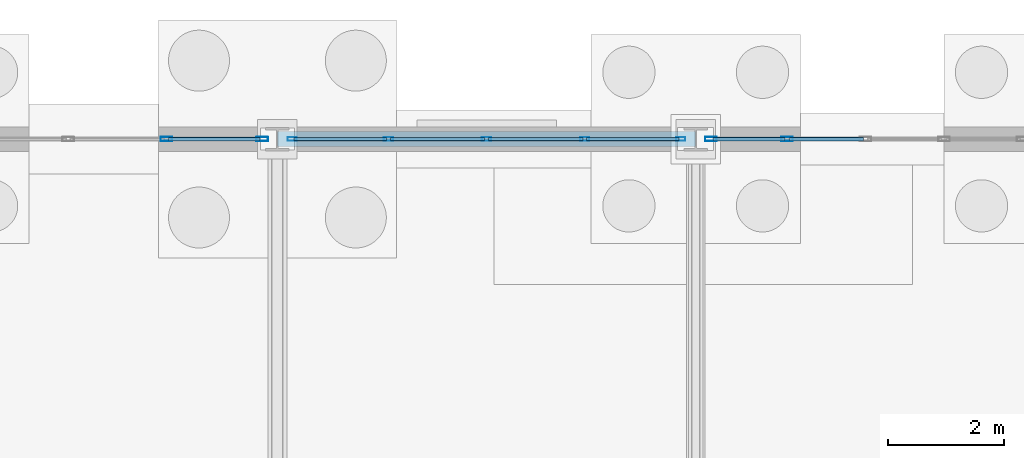
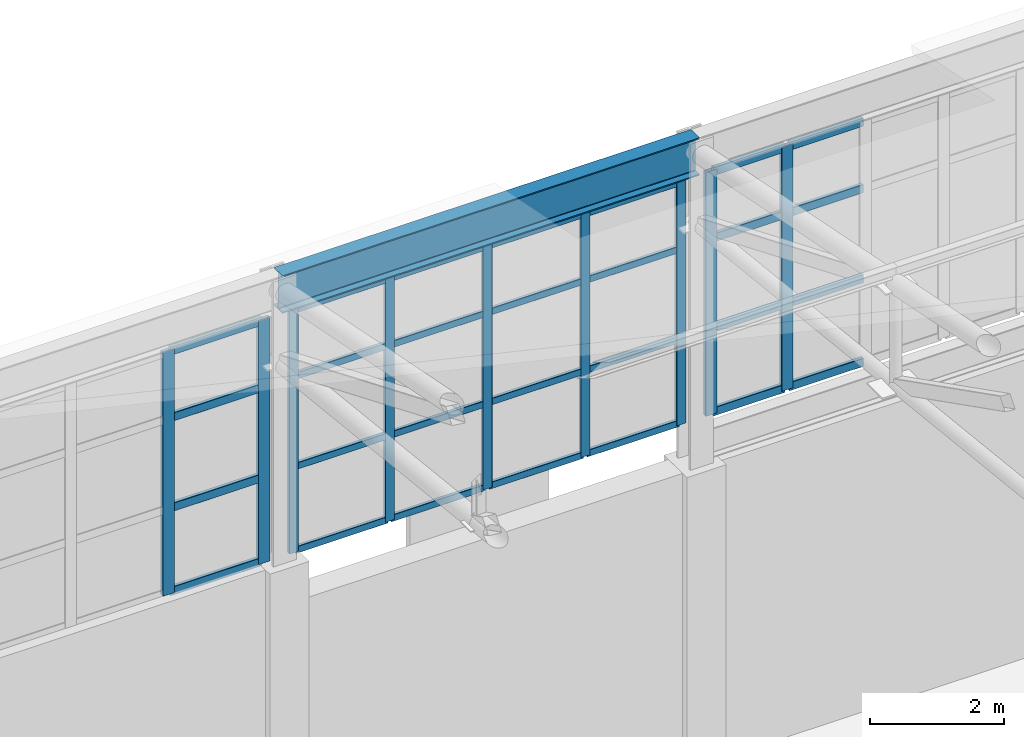
# One storey, part 207 of 293: 37 members, 1 beam, 3 elements without a shape of their own.
"""IFC4 building model written with IfcOpenShell, lengths in metres."""

from ifc_helpers import new_model, si_unit, direction, frame, origin, origin_2d, place, context, subcontext, project, spatial, hollow_rectangle, i_section, extrude, material, layer, layer_set, material_profile, profile_set, type_object, element, aggregate, save


model = new_model("IFC4")

# Units and contexts
model_context = context("Model", 3, precision=1e-05, world=origin(), true_north=direction((0.0, 1.0)))
body_context = subcontext(model_context, "Body", "Model", "MODEL_VIEW")
ifc_project = project(units=[si_unit("LENGTHUNIT", "METRE"), si_unit("AREAUNIT", "SQUARE_METRE"), si_unit("VOLUMEUNIT", "CUBIC_METRE"), si_unit("PLANEANGLEUNIT", "RADIAN"), si_unit("MASSUNIT", "GRAM", prefix="KILO")], contexts=[model_context])

# Site, building, storey
site_placement = place(None, origin())
site = spatial("IfcSite", under=ifc_project, at=site_placement, CompositionType="ELEMENT")
building_placement = place(site_placement, origin())
building = spatial("IfcBuilding", under=site, at=building_placement, Name="Kemerveld Promenade Tramway Depot", CompositionType="ELEMENT")
storey_placement = place(building_placement, origin())
storey = spatial("IfcBuildingStorey", under=building, at=storey_placement, Name="L00", CompositionType="ELEMENT", Elevation=0.0)

# Beam
ifc_material_1 = material(Name="Steel S355", Category="steel")
ifc_material_profile_1 = material_profile(ifc_material_1, i_section(OverallWidth=0.25439453125, OverallDepth=0.6875, WebThickness=0.01318359375, FlangeThickness=0.02099609375, FilletRadius=0.01513671875, at=origin_2d()), Name="686x254x152 UB")
ifc_profile_set_1 = profile_set([ifc_material_profile_1], Name="Steel S355")
beam_type = type_object("IfcBeamType", Name="BM-G03", PredefinedType="BEAM", material=ifc_profile_set_1)
beam_placement = place(storey_placement, frame((64.800048828125, 144.0, 11.056396484375), z_axis=(1.0, 0.0, 0.0), x_axis=(0.0, 1.0, 0.0)))
element("IfcBeam", 1, at=beam_placement, inside=storey, type_object=beam_type, Name="BM-SHED-EAVE-U-10", PredefinedType="BEAM", context=body_context, shape_type="SweptSolid", body=[
    extrude(i_section(OverallWidth=0.25439453125, OverallDepth=0.6875, WebThickness=0.01318359375, FlangeThickness=0.02099609375, FilletRadius=0.01513671875, at=origin_2d()), origin(), (0.0, 0.0, 1.0), 7.199951171875),
])

# Curtain wall, members
ifc_material_2 = material(Name="Bronze anodised aluminium and solar glass", Category="aluminium")
ifc_layer_1 = layer(ifc_material_2, 0.159912109375)
ifc_layer_set_1 = layer_set([ifc_layer_1], Name="CW-SYS-05")
curtain_wall_type_1 = type_object("IfcCurtainWallType", Name="CW-SYS-05", PredefinedType="USERDEFINED", material=ifc_layer_set_1)
curtain_wall_1_placement = place(storey_placement, origin())
curtain_wall_1 = element("IfcCurtainWall", 2, at=curtain_wall_1_placement, inside=storey, type_object=curtain_wall_type_1, Name="CW-V1-N-05", ObjectType="GLAZED_CURTAIN_WALL", PredefinedType="USERDEFINED")
ifc_material_3 = material(Name="Bronze anodised aluminium", Category="aluminium")
ifc_material_profile_2 = material_profile(ifc_material_3, hollow_rectangle(XDim=0.06494140625, YDim=0.159912109375, WallThickness=0.00390625, InnerFilletRadius=0.001953125, OuterFilletRadius=0.00390625, at=origin_2d()), Name="CW-MUL-160x65")
ifc_profile_set_2 = profile_set([ifc_material_profile_2], Name="Bronze anodised aluminium")
member_type_1 = type_object("IfcMemberType", Name="CW-MUL-A", PredefinedType="MULLION", material=ifc_profile_set_2)
member_1_placement = place(storey_placement, frame((65.0556640625, 144.0, 6.199951171875), z_axis=(0.0, 0.0, 1.0), x_axis=(0.0, 1.0, 0.0)))
member_1 = element("IfcMember", 3, at=member_1_placement, type_object=member_type_1, Name="CW05 mullion 1", PredefinedType="MULLION", context=body_context, shape_type="SweptSolid", body=[
    extrude(hollow_rectangle(XDim=0.06494140625, YDim=0.159912109375, WallThickness=0.00390625, InnerFilletRadius=0.001953125, OuterFilletRadius=0.00390625, at=origin_2d()), origin(), (0.0, 0.0, 1.0), 4.449951171875),
])
member_2_placement = place(storey_placement, frame((66.711669921875, 144.0, 6.199951171875), z_axis=(0.0, 0.0, 1.0), x_axis=(0.0, 1.0, 0.0)))
member_2 = element("IfcMember", 4, at=member_2_placement, type_object=member_type_1, Name="CW05 mullion 2", PredefinedType="MULLION", context=body_context, shape_type="SweptSolid", body=[
    extrude(hollow_rectangle(XDim=0.06494140625, YDim=0.159912109375, WallThickness=0.00390625, InnerFilletRadius=0.001953125, OuterFilletRadius=0.00390625, at=origin_2d()), origin(), (0.0, 0.0, 1.0), 4.449951171875),
])
member_3_placement = place(storey_placement, frame((68.39990234375, 144.0, 6.199951171875), z_axis=(0.0, 0.0, 1.0), x_axis=(0.0, 1.0, 0.0)))
member_3 = element("IfcMember", 5, at=member_3_placement, type_object=member_type_1, Name="CW05 mullion 3", PredefinedType="MULLION", context=body_context, shape_type="SweptSolid", body=[
    extrude(hollow_rectangle(XDim=0.06494140625, YDim=0.159912109375, WallThickness=0.00390625, InnerFilletRadius=0.001953125, OuterFilletRadius=0.00390625, at=origin_2d()), origin(), (0.0, 0.0, 1.0), 4.449951171875),
])
member_4_placement = place(storey_placement, frame((70.08837890625, 144.0, 6.199951171875), z_axis=(0.0, 0.0, 1.0), x_axis=(0.0, 1.0, 0.0)))
member_4 = element("IfcMember", 6, at=member_4_placement, type_object=member_type_1, Name="CW05 mullion 4", PredefinedType="MULLION", context=body_context, shape_type="SweptSolid", body=[
    extrude(hollow_rectangle(XDim=0.06494140625, YDim=0.159912109375, WallThickness=0.00390625, InnerFilletRadius=0.001953125, OuterFilletRadius=0.00390625, at=origin_2d()), origin(), (0.0, 0.0, 1.0), 4.449951171875),
])
member_5_placement = place(storey_placement, frame((71.744384765625, 144.0, 6.199951171875), z_axis=(0.0, 0.0, 1.0), x_axis=(0.0, 1.0, 0.0)))
member_5 = element("IfcMember", 7, at=member_5_placement, type_object=member_type_1, Name="CW05 mullion 5", PredefinedType="MULLION", context=body_context, shape_type="SweptSolid", body=[
    extrude(hollow_rectangle(XDim=0.06494140625, YDim=0.159912109375, WallThickness=0.00390625, InnerFilletRadius=0.001953125, OuterFilletRadius=0.00390625, at=origin_2d()), origin(), (0.0, 0.0, 1.0), 4.449951171875),
])

ifc_layer_2 = layer(ifc_material_2, 0.199951171875)
ifc_layer_set_2 = layer_set([ifc_layer_2], Name="CW-SYS-04")
curtain_wall_type_2 = type_object("IfcCurtainWallType", Name="CW-SYS-04", PredefinedType="USERDEFINED", material=ifc_layer_set_2)
curtain_wall_2_placement = place(storey_placement, origin())
curtain_wall_2 = element("IfcCurtainWall", 8, at=curtain_wall_2_placement, inside=storey, type_object=curtain_wall_type_2, Name="CW-V1-N-04", ObjectType="GLAZED_CURTAIN_WALL", PredefinedType="USERDEFINED")
ifc_material_profile_3 = material_profile(ifc_material_3, hollow_rectangle(XDim=0.074951171875, YDim=0.199951171875, WallThickness=0.0048828125, InnerFilletRadius=0.001953125, OuterFilletRadius=0.0048828125, at=origin_2d()), Name="CW-MUL-200x75")
ifc_profile_set_3 = profile_set([ifc_material_profile_3], Name="Bronze anodised aluminium")
member_type_2 = type_object("IfcMemberType", Name="CW-MUL-B", PredefinedType="MULLION", material=ifc_profile_set_3)
member_6_placement = place(storey_placement, frame((62.888427734375, 144.0, 6.199951171875), z_axis=(0.0, 0.0, 1.0), x_axis=(0.0, 1.0, 0.0)))
member_6 = element("IfcMember", 9, at=member_6_placement, type_object=member_type_2, Name="CW04 mullion 4", PredefinedType="MULLION", context=body_context, shape_type="SweptSolid", body=[
    extrude(hollow_rectangle(XDim=0.074951171875, YDim=0.199951171875, WallThickness=0.0048828125, InnerFilletRadius=0.001953125, OuterFilletRadius=0.0048828125, at=origin_2d()), origin(), (0.0, 0.0, 1.0), 4.449951171875),
])
member_7_placement = place(storey_placement, frame((64.539306640625, 144.0, 6.199951171875), z_axis=(0.0, 0.0, 1.0), x_axis=(0.0, 1.0, 0.0)))
member_7 = element("IfcMember", 10, at=member_7_placement, type_object=member_type_2, Name="CW04 mullion 5", PredefinedType="MULLION", context=body_context, shape_type="SweptSolid", body=[
    extrude(hollow_rectangle(XDim=0.074951171875, YDim=0.199951171875, WallThickness=0.0048828125, InnerFilletRadius=0.001953125, OuterFilletRadius=0.0048828125, at=origin_2d()), origin(), (0.0, 0.0, 1.0), 4.449951171875),
])

ifc_layer_3 = layer(ifc_material_2, 0.199951171875)
ifc_layer_set_3 = layer_set([ifc_layer_3], Name="CW-SYS-06")
curtain_wall_type_3 = type_object("IfcCurtainWallType", Name="CW-SYS-06", PredefinedType="USERDEFINED", material=ifc_layer_set_3)
curtain_wall_3_placement = place(storey_placement, origin())
curtain_wall_3 = element("IfcCurtainWall", 11, at=curtain_wall_3_placement, inside=storey, type_object=curtain_wall_type_3, Name="CW-V1-N-06", ObjectType="GLAZED_CURTAIN_WALL", PredefinedType="USERDEFINED")
member_8_placement = place(storey_placement, frame((72.2607421875, 144.0, 6.199951171875), z_axis=(0.0, 0.0, 1.0), x_axis=(0.0, 1.0, 0.0)))
member_8 = element("IfcMember", 12, at=member_8_placement, type_object=member_type_2, Name="CW06 mullion 1", PredefinedType="MULLION", context=body_context, shape_type="SweptSolid", body=[
    extrude(hollow_rectangle(XDim=0.074951171875, YDim=0.199951171875, WallThickness=0.0048828125, InnerFilletRadius=0.001953125, OuterFilletRadius=0.0048828125, at=origin_2d()), origin(), (0.0, 0.0, 1.0), 4.449951171875),
])
member_9_placement = place(storey_placement, frame((73.573974609375, 144.0, 6.199951171875), z_axis=(0.0, 0.0, 1.0), x_axis=(0.0, 1.0, 0.0)))
member_9 = element("IfcMember", 13, at=member_9_placement, type_object=member_type_2, Name="CW06 mullion 2", PredefinedType="MULLION", context=body_context, shape_type="SweptSolid", body=[
    extrude(hollow_rectangle(XDim=0.074951171875, YDim=0.199951171875, WallThickness=0.0048828125, InnerFilletRadius=0.001953125, OuterFilletRadius=0.0048828125, at=origin_2d()), origin(), (0.0, 0.0, 1.0), 4.449951171875),
])

# Member
ifc_material_profile_4 = material_profile(ifc_material_3, hollow_rectangle(XDim=0.06005859375, YDim=0.1201171875, WallThickness=0.00390625, InnerFilletRadius=0.001953125, OuterFilletRadius=0.00390625, at=origin_2d()), Name="CW-TRN-120x60")
ifc_profile_set_4 = profile_set([ifc_material_profile_4], Name="Bronze anodised aluminium")
member_type_3 = type_object("IfcMemberType", Name="CW-TRN-A", PredefinedType="USERDEFINED", material=ifc_profile_set_4)
member_10_placement = place(storey_placement, frame((65.088134765625, 144.0, 6.22998046875), z_axis=(1.0, 0.0, 0.0), x_axis=(0.0, 1.0, 0.0)))
member_10 = element("IfcMember", 14, at=member_10_placement, type_object=member_type_3, Name="CW05 transom 1.1", ObjectType="TRANSOM", PredefinedType="USERDEFINED", context=body_context, shape_type="SweptSolid", body=[
    extrude(hollow_rectangle(XDim=0.06005859375, YDim=0.1201171875, WallThickness=0.00390625, InnerFilletRadius=0.001953125, OuterFilletRadius=0.00390625, at=origin_2d()), origin(), (0.0, 0.0, 1.0), 1.591064453125),
])

member_11_placement = place(storey_placement, frame((65.088134765625, 144.0, 7.758056640625), z_axis=(1.0, 0.0, 0.0), x_axis=(0.0, 1.0, 0.0)))
member_11 = element("IfcMember", 15, at=member_11_placement, type_object=member_type_3, Name="CW05 transom 1.2", ObjectType="TRANSOM", PredefinedType="USERDEFINED", context=body_context, shape_type="SweptSolid", body=[
    extrude(hollow_rectangle(XDim=0.06005859375, YDim=0.1201171875, WallThickness=0.00390625, InnerFilletRadius=0.001953125, OuterFilletRadius=0.00390625, at=origin_2d()), origin(), (0.0, 0.0, 1.0), 1.591064453125),
])

member_12_placement = place(storey_placement, frame((65.088134765625, 144.0, 9.404052734375), z_axis=(1.0, 0.0, 0.0), x_axis=(0.0, 1.0, 0.0)))
member_12 = element("IfcMember", 16, at=member_12_placement, type_object=member_type_3, Name="CW05 transom 1.3", ObjectType="TRANSOM", PredefinedType="USERDEFINED", context=body_context, shape_type="SweptSolid", body=[
    extrude(hollow_rectangle(XDim=0.06005859375, YDim=0.1201171875, WallThickness=0.00390625, InnerFilletRadius=0.001953125, OuterFilletRadius=0.00390625, at=origin_2d()), origin(), (0.0, 0.0, 1.0), 1.591064453125),
])

member_13_placement = place(storey_placement, frame((65.088134765625, 144.0, 10.6201171875), z_axis=(1.0, 0.0, 0.0), x_axis=(0.0, 1.0, 0.0)))
member_13 = element("IfcMember", 17, at=member_13_placement, type_object=member_type_3, Name="CW05 transom 1.4", ObjectType="TRANSOM", PredefinedType="USERDEFINED", context=body_context, shape_type="SweptSolid", body=[
    extrude(hollow_rectangle(XDim=0.06005859375, YDim=0.1201171875, WallThickness=0.00390625, InnerFilletRadius=0.001953125, OuterFilletRadius=0.00390625, at=origin_2d()), origin(), (0.0, 0.0, 1.0), 1.591064453125),
])

member_14_placement = place(storey_placement, frame((66.744140625, 144.0, 6.22998046875), z_axis=(1.0, 0.0, 0.0), x_axis=(0.0, 1.0, 0.0)))
member_14 = element("IfcMember", 18, at=member_14_placement, type_object=member_type_3, Name="CW05 transom 2.1", ObjectType="TRANSOM", PredefinedType="USERDEFINED", context=body_context, shape_type="SweptSolid", body=[
    extrude(hollow_rectangle(XDim=0.06005859375, YDim=0.1201171875, WallThickness=0.00390625, InnerFilletRadius=0.001953125, OuterFilletRadius=0.00390625, at=origin_2d()), origin(), (0.0, 0.0, 1.0), 1.623291015625),
])

member_15_placement = place(storey_placement, frame((66.744140625, 144.0, 7.758056640625), z_axis=(1.0, 0.0, 0.0), x_axis=(0.0, 1.0, 0.0)))
member_15 = element("IfcMember", 19, at=member_15_placement, type_object=member_type_3, Name="CW05 transom 2.2", ObjectType="TRANSOM", PredefinedType="USERDEFINED", context=body_context, shape_type="SweptSolid", body=[
    extrude(hollow_rectangle(XDim=0.06005859375, YDim=0.1201171875, WallThickness=0.00390625, InnerFilletRadius=0.001953125, OuterFilletRadius=0.00390625, at=origin_2d()), origin(), (0.0, 0.0, 1.0), 1.623291015625),
])

member_16_placement = place(storey_placement, frame((66.744140625, 144.0, 9.404052734375), z_axis=(1.0, 0.0, 0.0), x_axis=(0.0, 1.0, 0.0)))
member_16 = element("IfcMember", 20, at=member_16_placement, type_object=member_type_3, Name="CW05 transom 2.3", ObjectType="TRANSOM", PredefinedType="USERDEFINED", context=body_context, shape_type="SweptSolid", body=[
    extrude(hollow_rectangle(XDim=0.06005859375, YDim=0.1201171875, WallThickness=0.00390625, InnerFilletRadius=0.001953125, OuterFilletRadius=0.00390625, at=origin_2d()), origin(), (0.0, 0.0, 1.0), 1.623291015625),
])

member_17_placement = place(storey_placement, frame((66.744140625, 144.0, 10.6201171875), z_axis=(1.0, 0.0, 0.0), x_axis=(0.0, 1.0, 0.0)))
member_17 = element("IfcMember", 21, at=member_17_placement, type_object=member_type_3, Name="CW05 transom 2.4", ObjectType="TRANSOM", PredefinedType="USERDEFINED", context=body_context, shape_type="SweptSolid", body=[
    extrude(hollow_rectangle(XDim=0.06005859375, YDim=0.1201171875, WallThickness=0.00390625, InnerFilletRadius=0.001953125, OuterFilletRadius=0.00390625, at=origin_2d()), origin(), (0.0, 0.0, 1.0), 1.623291015625),
])

member_18_placement = place(storey_placement, frame((68.4326171875, 144.0, 6.22998046875), z_axis=(1.0, 0.0, 0.0), x_axis=(0.0, 1.0, 0.0)))
member_18 = element("IfcMember", 22, at=member_18_placement, type_object=member_type_3, Name="CW05 transom 3.1", ObjectType="TRANSOM", PredefinedType="USERDEFINED", context=body_context, shape_type="SweptSolid", body=[
    extrude(hollow_rectangle(XDim=0.06005859375, YDim=0.1201171875, WallThickness=0.00390625, InnerFilletRadius=0.001953125, OuterFilletRadius=0.00390625, at=origin_2d()), origin(), (0.0, 0.0, 1.0), 1.623291015625),
])

member_19_placement = place(storey_placement, frame((68.4326171875, 144.0, 7.758056640625), z_axis=(1.0, 0.0, 0.0), x_axis=(0.0, 1.0, 0.0)))
member_19 = element("IfcMember", 23, at=member_19_placement, type_object=member_type_3, Name="CW05 transom 3.2", ObjectType="TRANSOM", PredefinedType="USERDEFINED", context=body_context, shape_type="SweptSolid", body=[
    extrude(hollow_rectangle(XDim=0.06005859375, YDim=0.1201171875, WallThickness=0.00390625, InnerFilletRadius=0.001953125, OuterFilletRadius=0.00390625, at=origin_2d()), origin(), (0.0, 0.0, 1.0), 1.623291015625),
])

member_20_placement = place(storey_placement, frame((68.4326171875, 144.0, 9.404052734375), z_axis=(1.0, 0.0, 0.0), x_axis=(0.0, 1.0, 0.0)))
member_20 = element("IfcMember", 24, at=member_20_placement, type_object=member_type_3, Name="CW05 transom 3.3", ObjectType="TRANSOM", PredefinedType="USERDEFINED", context=body_context, shape_type="SweptSolid", body=[
    extrude(hollow_rectangle(XDim=0.06005859375, YDim=0.1201171875, WallThickness=0.00390625, InnerFilletRadius=0.001953125, OuterFilletRadius=0.00390625, at=origin_2d()), origin(), (0.0, 0.0, 1.0), 1.623291015625),
])

member_21_placement = place(storey_placement, frame((68.4326171875, 144.0, 10.6201171875), z_axis=(1.0, 0.0, 0.0), x_axis=(0.0, 1.0, 0.0)))
member_21 = element("IfcMember", 25, at=member_21_placement, type_object=member_type_3, Name="CW05 transom 3.4", ObjectType="TRANSOM", PredefinedType="USERDEFINED", context=body_context, shape_type="SweptSolid", body=[
    extrude(hollow_rectangle(XDim=0.06005859375, YDim=0.1201171875, WallThickness=0.00390625, InnerFilletRadius=0.001953125, OuterFilletRadius=0.00390625, at=origin_2d()), origin(), (0.0, 0.0, 1.0), 1.623291015625),
])

member_22_placement = place(storey_placement, frame((70.120849609375, 144.0, 6.22998046875), z_axis=(1.0, 0.0, 0.0), x_axis=(0.0, 1.0, 0.0)))
member_22 = element("IfcMember", 26, at=member_22_placement, type_object=member_type_3, Name="CW05 transom 4.1", ObjectType="TRANSOM", PredefinedType="USERDEFINED", context=body_context, shape_type="SweptSolid", body=[
    extrude(hollow_rectangle(XDim=0.06005859375, YDim=0.1201171875, WallThickness=0.00390625, InnerFilletRadius=0.001953125, OuterFilletRadius=0.00390625, at=origin_2d()), origin(), (0.0, 0.0, 1.0), 1.591064453125),
])

member_23_placement = place(storey_placement, frame((70.120849609375, 144.0, 7.758056640625), z_axis=(1.0, 0.0, 0.0), x_axis=(0.0, 1.0, 0.0)))
member_23 = element("IfcMember", 27, at=member_23_placement, type_object=member_type_3, Name="CW05 transom 4.2", ObjectType="TRANSOM", PredefinedType="USERDEFINED", context=body_context, shape_type="SweptSolid", body=[
    extrude(hollow_rectangle(XDim=0.06005859375, YDim=0.1201171875, WallThickness=0.00390625, InnerFilletRadius=0.001953125, OuterFilletRadius=0.00390625, at=origin_2d()), origin(), (0.0, 0.0, 1.0), 1.591064453125),
])

member_24_placement = place(storey_placement, frame((70.120849609375, 144.0, 9.404052734375), z_axis=(1.0, 0.0, 0.0), x_axis=(0.0, 1.0, 0.0)))
member_24 = element("IfcMember", 28, at=member_24_placement, type_object=member_type_3, Name="CW05 transom 4.3", ObjectType="TRANSOM", PredefinedType="USERDEFINED", context=body_context, shape_type="SweptSolid", body=[
    extrude(hollow_rectangle(XDim=0.06005859375, YDim=0.1201171875, WallThickness=0.00390625, InnerFilletRadius=0.001953125, OuterFilletRadius=0.00390625, at=origin_2d()), origin(), (0.0, 0.0, 1.0), 1.591064453125),
])

member_25_placement = place(storey_placement, frame((70.120849609375, 144.0, 10.6201171875), z_axis=(1.0, 0.0, 0.0), x_axis=(0.0, 1.0, 0.0)))
member_25 = element("IfcMember", 29, at=member_25_placement, type_object=member_type_3, Name="CW05 transom 4.4", ObjectType="TRANSOM", PredefinedType="USERDEFINED", context=body_context, shape_type="SweptSolid", body=[
    extrude(hollow_rectangle(XDim=0.06005859375, YDim=0.1201171875, WallThickness=0.00390625, InnerFilletRadius=0.001953125, OuterFilletRadius=0.00390625, at=origin_2d()), origin(), (0.0, 0.0, 1.0), 1.591064453125),
])

aggregate(curtain_wall_1, [member_1, member_2, member_3, member_4, member_5, member_10, member_11, member_12, member_13, member_14, member_15, member_16, member_17, member_18, member_19, member_20, member_21, member_22, member_23, member_24, member_25])

ifc_material_profile_5 = material_profile(ifc_material_3, hollow_rectangle(XDim=0.06494140625, YDim=0.14990234375, WallThickness=0.00439453125, InnerFilletRadius=0.001953125, OuterFilletRadius=0.00439453125, at=origin_2d()), Name="CW-TRN-150x65")
ifc_profile_set_5 = profile_set([ifc_material_profile_5], Name="Bronze anodised aluminium")
member_type_4 = type_object("IfcMemberType", Name="CW-TRN-B", PredefinedType="USERDEFINED", material=ifc_profile_set_5)
member_26_placement = place(storey_placement, frame((62.92578125, 144.0, 6.232421875), z_axis=(1.0, 0.0, 0.0), x_axis=(0.0, 1.0, 0.0)))
member_26 = element("IfcMember", 30, at=member_26_placement, type_object=member_type_4, Name="CW04 transom 4.1", ObjectType="TRANSOM", PredefinedType="USERDEFINED", context=body_context, shape_type="SweptSolid", body=[
    extrude(hollow_rectangle(XDim=0.06494140625, YDim=0.14990234375, WallThickness=0.00439453125, InnerFilletRadius=0.001953125, OuterFilletRadius=0.00439453125, at=origin_2d()), origin(), (0.0, 0.0, 1.0), 1.575927734375),
])

member_27_placement = place(storey_placement, frame((62.92578125, 144.0, 7.758056640625), z_axis=(1.0, 0.0, 0.0), x_axis=(0.0, 1.0, 0.0)))
member_27 = element("IfcMember", 31, at=member_27_placement, type_object=member_type_4, Name="CW04 transom 4.2", ObjectType="TRANSOM", PredefinedType="USERDEFINED", context=body_context, shape_type="SweptSolid", body=[
    extrude(hollow_rectangle(XDim=0.06494140625, YDim=0.14990234375, WallThickness=0.00439453125, InnerFilletRadius=0.001953125, OuterFilletRadius=0.00439453125, at=origin_2d()), origin(), (0.0, 0.0, 1.0), 1.575927734375),
])

member_28_placement = place(storey_placement, frame((62.92578125, 144.0, 9.404052734375), z_axis=(1.0, 0.0, 0.0), x_axis=(0.0, 1.0, 0.0)))
member_28 = element("IfcMember", 32, at=member_28_placement, type_object=member_type_4, Name="CW04 transom 4.3", ObjectType="TRANSOM", PredefinedType="USERDEFINED", context=body_context, shape_type="SweptSolid", body=[
    extrude(hollow_rectangle(XDim=0.06494140625, YDim=0.14990234375, WallThickness=0.00439453125, InnerFilletRadius=0.001953125, OuterFilletRadius=0.00439453125, at=origin_2d()), origin(), (0.0, 0.0, 1.0), 1.575927734375),
])

member_29_placement = place(storey_placement, frame((62.92578125, 144.0, 10.617431640625), z_axis=(1.0, 0.0, 0.0), x_axis=(0.0, 1.0, 0.0)))
member_29 = element("IfcMember", 33, at=member_29_placement, type_object=member_type_4, Name="CW04 transom 4.4", ObjectType="TRANSOM", PredefinedType="USERDEFINED", context=body_context, shape_type="SweptSolid", body=[
    extrude(hollow_rectangle(XDim=0.06494140625, YDim=0.14990234375, WallThickness=0.00439453125, InnerFilletRadius=0.001953125, OuterFilletRadius=0.00439453125, at=origin_2d()), origin(), (0.0, 0.0, 1.0), 1.575927734375),
])

aggregate(curtain_wall_2, [member_6, member_7, member_26, member_27, member_28, member_29])

member_30_placement = place(storey_placement, frame((72.298095703125, 144.0, 6.232421875), z_axis=(1.0, 0.0, 0.0), x_axis=(0.0, 1.0, 0.0)))
member_30 = element("IfcMember", 34, at=member_30_placement, type_object=member_type_4, Name="CW06 transom 1.1", ObjectType="TRANSOM", PredefinedType="USERDEFINED", context=body_context, shape_type="SweptSolid", body=[
    extrude(hollow_rectangle(XDim=0.06494140625, YDim=0.14990234375, WallThickness=0.00439453125, InnerFilletRadius=0.001953125, OuterFilletRadius=0.00439453125, at=origin_2d()), origin(), (0.0, 0.0, 1.0), 1.23828125),
])

member_31_placement = place(storey_placement, frame((72.298095703125, 144.0, 7.758056640625), z_axis=(1.0, 0.0, 0.0), x_axis=(0.0, 1.0, 0.0)))
member_31 = element("IfcMember", 35, at=member_31_placement, type_object=member_type_4, Name="CW06 transom 1.2", ObjectType="TRANSOM", PredefinedType="USERDEFINED", context=body_context, shape_type="SweptSolid", body=[
    extrude(hollow_rectangle(XDim=0.06494140625, YDim=0.14990234375, WallThickness=0.00439453125, InnerFilletRadius=0.001953125, OuterFilletRadius=0.00439453125, at=origin_2d()), origin(), (0.0, 0.0, 1.0), 1.23828125),
])

member_32_placement = place(storey_placement, frame((72.298095703125, 144.0, 9.404052734375), z_axis=(1.0, 0.0, 0.0), x_axis=(0.0, 1.0, 0.0)))
member_32 = element("IfcMember", 36, at=member_32_placement, type_object=member_type_4, Name="CW06 transom 1.3", ObjectType="TRANSOM", PredefinedType="USERDEFINED", context=body_context, shape_type="SweptSolid", body=[
    extrude(hollow_rectangle(XDim=0.06494140625, YDim=0.14990234375, WallThickness=0.00439453125, InnerFilletRadius=0.001953125, OuterFilletRadius=0.00439453125, at=origin_2d()), origin(), (0.0, 0.0, 1.0), 1.23828125),
])

member_33_placement = place(storey_placement, frame((72.298095703125, 144.0, 10.617431640625), z_axis=(1.0, 0.0, 0.0), x_axis=(0.0, 1.0, 0.0)))
member_33 = element("IfcMember", 37, at=member_33_placement, type_object=member_type_4, Name="CW06 transom 1.4", ObjectType="TRANSOM", PredefinedType="USERDEFINED", context=body_context, shape_type="SweptSolid", body=[
    extrude(hollow_rectangle(XDim=0.06494140625, YDim=0.14990234375, WallThickness=0.00439453125, InnerFilletRadius=0.001953125, OuterFilletRadius=0.00439453125, at=origin_2d()), origin(), (0.0, 0.0, 1.0), 1.23828125),
])

member_34_placement = place(storey_placement, frame((73.611328125, 144.0, 6.232421875), z_axis=(1.0, 0.0, 0.0), x_axis=(0.0, 1.0, 0.0)))
member_34 = element("IfcMember", 38, at=member_34_placement, type_object=member_type_4, Name="CW06 transom 2.1", ObjectType="TRANSOM", PredefinedType="USERDEFINED", context=body_context, shape_type="SweptSolid", body=[
    extrude(hollow_rectangle(XDim=0.06494140625, YDim=0.14990234375, WallThickness=0.00439453125, InnerFilletRadius=0.001953125, OuterFilletRadius=0.00439453125, at=origin_2d()), origin(), (0.0, 0.0, 1.0), 1.27587890625),
])

member_35_placement = place(storey_placement, frame((73.611328125, 144.0, 7.758056640625), z_axis=(1.0, 0.0, 0.0), x_axis=(0.0, 1.0, 0.0)))
member_35 = element("IfcMember", 39, at=member_35_placement, type_object=member_type_4, Name="CW06 transom 2.2", ObjectType="TRANSOM", PredefinedType="USERDEFINED", context=body_context, shape_type="SweptSolid", body=[
    extrude(hollow_rectangle(XDim=0.06494140625, YDim=0.14990234375, WallThickness=0.00439453125, InnerFilletRadius=0.001953125, OuterFilletRadius=0.00439453125, at=origin_2d()), origin(), (0.0, 0.0, 1.0), 1.27587890625),
])

member_36_placement = place(storey_placement, frame((73.611328125, 144.0, 9.404052734375), z_axis=(1.0, 0.0, 0.0), x_axis=(0.0, 1.0, 0.0)))
member_36 = element("IfcMember", 40, at=member_36_placement, type_object=member_type_4, Name="CW06 transom 2.3", ObjectType="TRANSOM", PredefinedType="USERDEFINED", context=body_context, shape_type="SweptSolid", body=[
    extrude(hollow_rectangle(XDim=0.06494140625, YDim=0.14990234375, WallThickness=0.00439453125, InnerFilletRadius=0.001953125, OuterFilletRadius=0.00439453125, at=origin_2d()), origin(), (0.0, 0.0, 1.0), 1.27587890625),
])

member_37_placement = place(storey_placement, frame((73.611328125, 144.0, 10.617431640625), z_axis=(1.0, 0.0, 0.0), x_axis=(0.0, 1.0, 0.0)))
member_37 = element("IfcMember", 41, at=member_37_placement, type_object=member_type_4, Name="CW06 transom 2.4", ObjectType="TRANSOM", PredefinedType="USERDEFINED", context=body_context, shape_type="SweptSolid", body=[
    extrude(hollow_rectangle(XDim=0.06494140625, YDim=0.14990234375, WallThickness=0.00439453125, InnerFilletRadius=0.001953125, OuterFilletRadius=0.00439453125, at=origin_2d()), origin(), (0.0, 0.0, 1.0), 1.27587890625),
])

aggregate(curtain_wall_3, [member_8, member_9, member_30, member_31, member_32, member_33, member_34, member_35, member_36, member_37])

save(model, "model.ifc")
